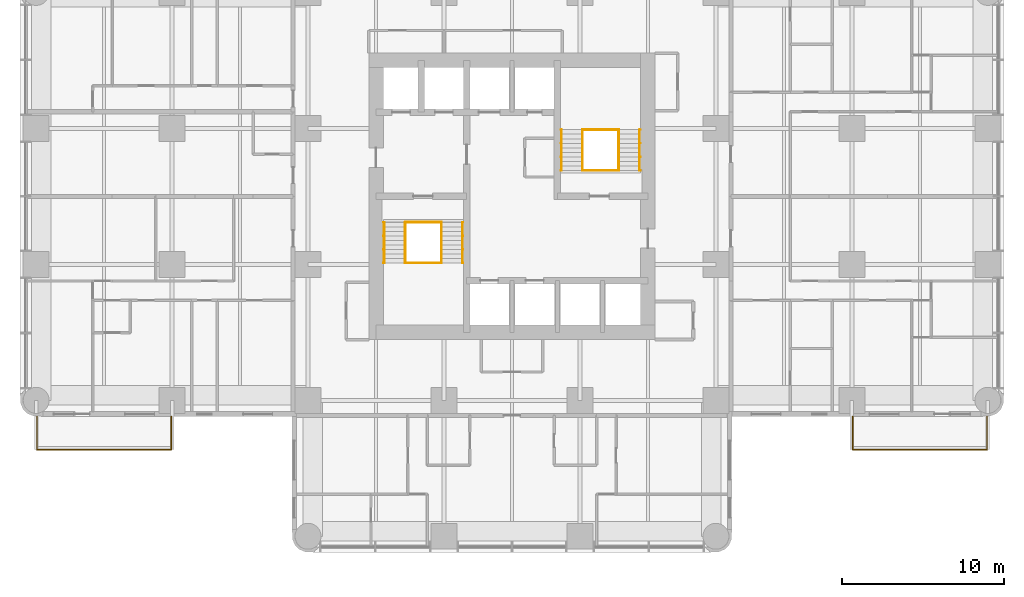
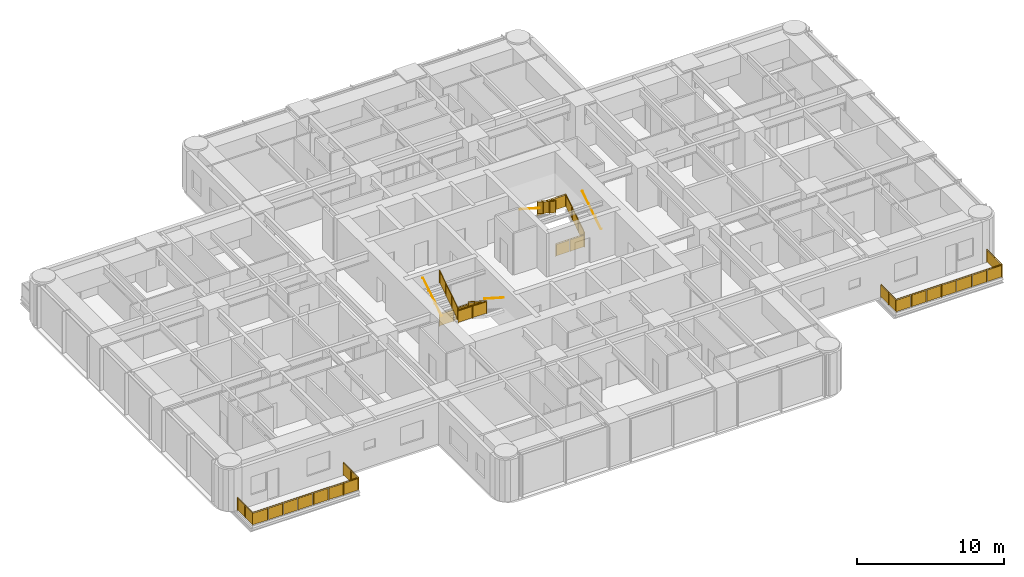
# One storey, part 14 of 15: 14 railings.
"""IFC4 building model written with IfcOpenShell, lengths in metres."""

from ifc_helpers import new_model, si_unit, direction, frame, origin, origin_2d, place, context, subcontext, project, spatial, polyline, circle, outline, extrude, material, constituent, constituent_set, type_object, element, save


model = new_model("IFC4")

# Units and contexts
model_context = context("Model", 3, precision=1e-05, world=origin(), true_north=direction((0.0, 1.0)))
body_context = subcontext(model_context, "Body", "Model", "MODEL_VIEW")
ifc_project = project(units=[si_unit("LENGTHUNIT", "METRE"), si_unit("AREAUNIT", "SQUARE_METRE"), si_unit("VOLUMEUNIT", "CUBIC_METRE"), si_unit("PLANEANGLEUNIT", "RADIAN"), si_unit("MASSUNIT", "GRAM", prefix="KILO")], contexts=[model_context])

# Site, building, storey
site_placement = place(None, origin())
site = spatial("IfcSite", under=ifc_project, at=site_placement, CompositionType="ELEMENT")
building_placement = place(site_placement, origin())
building = spatial("IfcBuilding", under=site, at=building_placement, Name="Torre Alcanfor", CompositionType="ELEMENT")
storey_placement = place(building_placement, frame((0.0, 0.0, 119.699951171875)))
storey = spatial("IfcBuildingStorey", under=building, at=storey_placement, Name="L30", CompositionType="ELEMENT", Elevation=119.699951171875)

# Railings
ifc_material_1 = material(Name="Laminated safety glass", Category="glass")
ifc_constituent_1 = constituent(ifc_material_1, Name="Infill")
ifc_material_2 = material(Name="Stainless steel ASTM A554 Grade MT 316L tube", Category="steel")
ifc_constituent_2 = constituent(ifc_material_2, Name="Posts and rail")
ifc_constituent_set = constituent_set(constituents=[ifc_constituent_1, ifc_constituent_2], Name="Balcony guard glass 1100")
railing_type_1 = type_object("IfcRailingType", Name="Balcony guard glass 1100", PredefinedType="BALUSTRADE", material=ifc_constituent_set)
railing_1_placement = place(storey_placement, frame((50.449951171875, 15.800048828125, 0.0)))
element("IfcRailing", 1, at=railing_1_placement, inside=storey, type_object=railing_type_1, Name="Balcony guard L30-E2", PredefinedType="BALUSTRADE", context=body_context, shape_type="SweptSolid", body=[
    extrude(circle(Radius=0.02392578125, at=origin_2d()), frame((0.0, 0.0, 1.076171875), z_axis=(0.0, -1.0, 0.0), x_axis=(1.0, 0.0, 0.0)), (0.0, 0.0, 1.0), 2.050048828125),
    extrude(circle(Radius=0.02392578125, at=origin_2d()), frame((0.0, -2.050048828125, 1.076171875), z_axis=(1.0, 0.0, 0.0), x_axis=(0.0, 1.0, 0.0)), (0.0, 0.0, 1.0), 8.300048828125),
    extrude(circle(Radius=0.02392578125, at=origin_2d()), frame((8.300048828125, -2.050048828125, 1.076171875), z_axis=(0.0, 1.0, 0.0), x_axis=(-1.0, 0.0, 0.0)), (0.0, 0.0, 1.0), 2.050048828125),
    extrude(circle(Radius=0.02099609375, at=origin_2d()), origin(), (0.0, 0.0, 1.0), 1.052001953125),
    extrude(circle(Radius=0.02099609375, at=origin_2d()), frame((0.0, -1.02490234375, 0.0)), (0.0, 0.0, 1.0), 1.052001953125),
    extrude(circle(Radius=0.02099609375, at=origin_2d()), frame((0.0, -2.050048828125, 0.0)), (0.0, 0.0, 1.0), 1.052001953125),
    extrude(circle(Radius=0.02099609375, at=origin_2d()), frame((1.185791015625, -2.050048828125, 0.0)), (0.0, 0.0, 1.0), 1.052001953125),
    extrude(circle(Radius=0.02099609375, at=origin_2d()), frame((2.371337890625, -2.050048828125, 0.0)), (0.0, 0.0, 1.0), 1.052001953125),
    extrude(circle(Radius=0.02099609375, at=origin_2d()), frame((3.55712890625, -2.050048828125, 0.0)), (0.0, 0.0, 1.0), 1.052001953125),
    extrude(circle(Radius=0.02099609375, at=origin_2d()), frame((4.742919921875, -2.050048828125, 0.0)), (0.0, 0.0, 1.0), 1.052001953125),
    extrude(circle(Radius=0.02099609375, at=origin_2d()), frame((5.9287109375, -2.050048828125, 0.0)), (0.0, 0.0, 1.0), 1.052001953125),
    extrude(circle(Radius=0.02099609375, at=origin_2d()), frame((7.1142578125, -2.050048828125, 0.0)), (0.0, 0.0, 1.0), 1.052001953125),
    extrude(circle(Radius=0.02099609375, at=origin_2d()), frame((8.300048828125, -2.050048828125, 0.0)), (0.0, 0.0, 1.0), 1.052001953125),
    extrude(circle(Radius=0.02099609375, at=origin_2d()), frame((8.300048828125, -1.02490234375, 0.0)), (0.0, 0.0, 1.0), 1.052001953125),
    extrude(circle(Radius=0.02099609375, at=origin_2d()), frame((8.300048828125, 0.0, 0.0)), (0.0, 0.0, 1.0), 1.052001953125),
    extrude(outline(polyline([(0.041015625, 0.050048828125), (0.984130859375, 0.050048828125), (0.984130859375, 1.001953125), (0.041015625, 1.001953125), (0.041015625, 0.050048828125)])), frame((0.005859375, 0.0, 0.0), z_axis=(-1.0, 0.0, 0.0), x_axis=(0.0, -1.0, 0.0)), (0.0, 0.0, 1.0), 0.011962890625),
    extrude(outline(polyline([(1.06591796875, 0.050048828125), (2.009033203125, 0.050048828125), (2.009033203125, 1.001953125), (1.06591796875, 1.001953125), (1.06591796875, 0.050048828125)])), frame((0.005859375, 0.0, 0.0), z_axis=(-1.0, 0.0, 0.0), x_axis=(0.0, -1.0, 0.0)), (0.0, 0.0, 1.0), 0.011962890625),
    extrude(outline(polyline([(0.041015625, 0.050048828125), (1.144775390625, 0.050048828125), (1.144775390625, 1.001953125), (0.041015625, 1.001953125), (0.041015625, 0.050048828125)])), frame((0.0, -2.0439453125, 0.0), z_axis=(0.0, -1.0, 0.0), x_axis=(1.0, 0.0, 0.0)), (0.0, 0.0, 1.0), 0.011962890625),
    extrude(outline(polyline([(1.226806640625, 0.050048828125), (2.330322265625, 0.050048828125), (2.330322265625, 1.001953125), (1.226806640625, 1.001953125), (1.226806640625, 0.050048828125)])), frame((0.0, -2.0439453125, 0.0), z_axis=(0.0, -1.0, 0.0), x_axis=(1.0, 0.0, 0.0)), (0.0, 0.0, 1.0), 0.011962890625),
    extrude(outline(polyline([(2.412353515625, 0.050048828125), (3.51611328125, 0.050048828125), (3.51611328125, 1.001953125), (2.412353515625, 1.001953125), (2.412353515625, 0.050048828125)])), frame((0.0, -2.0439453125, 0.0), z_axis=(0.0, -1.0, 0.0), x_axis=(1.0, 0.0, 0.0)), (0.0, 0.0, 1.0), 0.011962890625),
    extrude(outline(polyline([(3.59814453125, 0.050048828125), (4.701904296875, 0.050048828125), (4.701904296875, 1.001953125), (3.59814453125, 1.001953125), (3.59814453125, 0.050048828125)])), frame((0.0, -2.0439453125, 0.0), z_axis=(0.0, -1.0, 0.0), x_axis=(1.0, 0.0, 0.0)), (0.0, 0.0, 1.0), 0.011962890625),
    extrude(outline(polyline([(4.783935546875, 0.050048828125), (5.8876953125, 0.050048828125), (5.8876953125, 1.001953125), (4.783935546875, 1.001953125), (4.783935546875, 0.050048828125)])), frame((0.0, -2.0439453125, 0.0), z_axis=(0.0, -1.0, 0.0), x_axis=(1.0, 0.0, 0.0)), (0.0, 0.0, 1.0), 0.011962890625),
    extrude(outline(polyline([(5.9697265625, 0.050048828125), (7.0732421875, 0.050048828125), (7.0732421875, 1.001953125), (5.9697265625, 1.001953125), (5.9697265625, 0.050048828125)])), frame((0.0, -2.0439453125, 0.0), z_axis=(0.0, -1.0, 0.0), x_axis=(1.0, 0.0, 0.0)), (0.0, 0.0, 1.0), 0.011962890625),
    extrude(outline(polyline([(7.1552734375, 0.050048828125), (8.259033203125, 0.050048828125), (8.259033203125, 1.001953125), (7.1552734375, 1.001953125), (7.1552734375, 0.050048828125)])), frame((0.0, -2.0439453125, 0.0), z_axis=(0.0, -1.0, 0.0), x_axis=(1.0, 0.0, 0.0)), (0.0, 0.0, 1.0), 0.011962890625),
    extrude(outline(polyline([(0.041015625, 0.050048828125), (0.984130859375, 0.050048828125), (0.984130859375, 1.001953125), (0.041015625, 1.001953125), (0.041015625, 0.050048828125)])), frame((8.2939453125, -2.050048828125, 0.0), z_axis=(1.0, 0.0, 0.0), x_axis=(0.0, 1.0, 0.0)), (0.0, 0.0, 1.0), 0.011962890625),
    extrude(outline(polyline([(1.06591796875, 0.050048828125), (2.009033203125, 0.050048828125), (2.009033203125, 1.001953125), (1.06591796875, 1.001953125), (1.06591796875, 0.050048828125)])), frame((8.2939453125, -2.050048828125, 0.0), z_axis=(1.0, 0.0, 0.0), x_axis=(0.0, 1.0, 0.0)), (0.0, 0.0, 1.0), 0.011962890625),
])
railing_2_placement = place(storey_placement, frame((8.35009765625, 15.800048828125, 0.0)))
element("IfcRailing", 2, at=railing_2_placement, inside=storey, type_object=railing_type_1, Name="Balcony guard L30-W1", PredefinedType="BALUSTRADE", context=body_context, shape_type="SweptSolid", body=[
    extrude(circle(Radius=0.02392578125, at=origin_2d()), frame((0.0, 0.0, 1.076171875), z_axis=(0.0, -1.0, 0.0), x_axis=(1.0, 0.0, 0.0)), (0.0, 0.0, 1.0), 2.050048828125),
    extrude(circle(Radius=0.02392578125, at=origin_2d()), frame((0.0, -2.050048828125, 1.076171875), z_axis=(-1.0, 0.0, 0.0), x_axis=(0.0, -1.0, 0.0)), (0.0, 0.0, 1.0), 8.300048828125),
    extrude(circle(Radius=0.02392578125, at=origin_2d()), frame((-8.300048828125, -2.050048828125, 1.076171875), z_axis=(0.0, 1.0, 0.0), x_axis=(-1.0, 0.0, 0.0)), (0.0, 0.0, 1.0), 2.050048828125),
    extrude(circle(Radius=0.02099609375, at=origin_2d()), origin(), (0.0, 0.0, 1.0), 1.052001953125),
    extrude(circle(Radius=0.02099609375, at=origin_2d()), frame((0.0, -1.02490234375, 0.0)), (0.0, 0.0, 1.0), 1.052001953125),
    extrude(circle(Radius=0.02099609375, at=origin_2d()), frame((0.0, -2.050048828125, 0.0)), (0.0, 0.0, 1.0), 1.052001953125),
    extrude(circle(Radius=0.02099609375, at=origin_2d()), frame((-1.185791015625, -2.050048828125, 0.0)), (0.0, 0.0, 1.0), 1.052001953125),
    extrude(circle(Radius=0.02099609375, at=origin_2d()), frame((-2.371337890625, -2.050048828125, 0.0)), (0.0, 0.0, 1.0), 1.052001953125),
    extrude(circle(Radius=0.02099609375, at=origin_2d()), frame((-3.55712890625, -2.050048828125, 0.0)), (0.0, 0.0, 1.0), 1.052001953125),
    extrude(circle(Radius=0.02099609375, at=origin_2d()), frame((-4.742919921875, -2.050048828125, 0.0)), (0.0, 0.0, 1.0), 1.052001953125),
    extrude(circle(Radius=0.02099609375, at=origin_2d()), frame((-5.9287109375, -2.050048828125, 0.0)), (0.0, 0.0, 1.0), 1.052001953125),
    extrude(circle(Radius=0.02099609375, at=origin_2d()), frame((-7.1142578125, -2.050048828125, 0.0)), (0.0, 0.0, 1.0), 1.052001953125),
    extrude(circle(Radius=0.02099609375, at=origin_2d()), frame((-8.300048828125, -2.050048828125, 0.0)), (0.0, 0.0, 1.0), 1.052001953125),
    extrude(circle(Radius=0.02099609375, at=origin_2d()), frame((-8.300048828125, -1.02490234375, 0.0)), (0.0, 0.0, 1.0), 1.052001953125),
    extrude(circle(Radius=0.02099609375, at=origin_2d()), frame((-8.300048828125, 0.0, 0.0)), (0.0, 0.0, 1.0), 1.052001953125),
    extrude(outline(polyline([(0.041015625, 0.050048828125), (0.984130859375, 0.050048828125), (0.984130859375, 1.001953125), (0.041015625, 1.001953125), (0.041015625, 0.050048828125)])), frame((0.005859375, 0.0, 0.0), z_axis=(-1.0, 0.0, 0.0), x_axis=(0.0, -1.0, 0.0)), (0.0, 0.0, 1.0), 0.011962890625),
    extrude(outline(polyline([(1.06591796875, 0.050048828125), (2.009033203125, 0.050048828125), (2.009033203125, 1.001953125), (1.06591796875, 1.001953125), (1.06591796875, 0.050048828125)])), frame((0.005859375, 0.0, 0.0), z_axis=(-1.0, 0.0, 0.0), x_axis=(0.0, -1.0, 0.0)), (0.0, 0.0, 1.0), 0.011962890625),
    extrude(outline(polyline([(0.041015625, 0.050048828125), (1.144775390625, 0.050048828125), (1.144775390625, 1.001953125), (0.041015625, 1.001953125), (0.041015625, 0.050048828125)])), frame((0.0, -2.05615234375, 0.0), z_axis=(0.0, 1.0, 0.0), x_axis=(-1.0, 0.0, 0.0)), (0.0, 0.0, 1.0), 0.011962890625),
    extrude(outline(polyline([(1.226806640625, 0.050048828125), (2.330322265625, 0.050048828125), (2.330322265625, 1.001953125), (1.226806640625, 1.001953125), (1.226806640625, 0.050048828125)])), frame((0.0, -2.05615234375, 0.0), z_axis=(0.0, 1.0, 0.0), x_axis=(-1.0, 0.0, 0.0)), (0.0, 0.0, 1.0), 0.011962890625),
    extrude(outline(polyline([(2.412353515625, 0.050048828125), (3.51611328125, 0.050048828125), (3.51611328125, 1.001953125), (2.412353515625, 1.001953125), (2.412353515625, 0.050048828125)])), frame((0.0, -2.05615234375, 0.0), z_axis=(0.0, 1.0, 0.0), x_axis=(-1.0, 0.0, 0.0)), (0.0, 0.0, 1.0), 0.011962890625),
    extrude(outline(polyline([(3.59814453125, 0.050048828125), (4.701904296875, 0.050048828125), (4.701904296875, 1.001953125), (3.59814453125, 1.001953125), (3.59814453125, 0.050048828125)])), frame((0.0, -2.05615234375, 0.0), z_axis=(0.0, 1.0, 0.0), x_axis=(-1.0, 0.0, 0.0)), (0.0, 0.0, 1.0), 0.011962890625),
    extrude(outline(polyline([(4.783935546875, 0.050048828125), (5.8876953125, 0.050048828125), (5.8876953125, 1.001953125), (4.783935546875, 1.001953125), (4.783935546875, 0.050048828125)])), frame((0.0, -2.05615234375, 0.0), z_axis=(0.0, 1.0, 0.0), x_axis=(-1.0, 0.0, 0.0)), (0.0, 0.0, 1.0), 0.011962890625),
    extrude(outline(polyline([(5.9697265625, 0.050048828125), (7.0732421875, 0.050048828125), (7.0732421875, 1.001953125), (5.9697265625, 1.001953125), (5.9697265625, 0.050048828125)])), frame((0.0, -2.05615234375, 0.0), z_axis=(0.0, 1.0, 0.0), x_axis=(-1.0, 0.0, 0.0)), (0.0, 0.0, 1.0), 0.011962890625),
    extrude(outline(polyline([(7.1552734375, 0.050048828125), (8.259033203125, 0.050048828125), (8.259033203125, 1.001953125), (7.1552734375, 1.001953125), (7.1552734375, 0.050048828125)])), frame((0.0, -2.05615234375, 0.0), z_axis=(0.0, 1.0, 0.0), x_axis=(-1.0, 0.0, 0.0)), (0.0, 0.0, 1.0), 0.011962890625),
    extrude(outline(polyline([(0.041015625, 0.050048828125), (0.984130859375, 0.050048828125), (0.984130859375, 1.001953125), (0.041015625, 1.001953125), (0.041015625, 0.050048828125)])), frame((-8.30615234375, -2.050048828125, 0.0), z_axis=(1.0, 0.0, 0.0), x_axis=(0.0, 1.0, 0.0)), (0.0, 0.0, 1.0), 0.011962890625),
    extrude(outline(polyline([(1.06591796875, 0.050048828125), (2.009033203125, 0.050048828125), (2.009033203125, 1.001953125), (1.06591796875, 1.001953125), (1.06591796875, 0.050048828125)])), frame((-8.30615234375, -2.050048828125, 0.0), z_axis=(1.0, 0.0, 0.0), x_axis=(0.0, 1.0, 0.0)), (0.0, 0.0, 1.0), 0.011962890625),
])
ifc_material_3 = material(Name="Steel ASTM A500 Grade C hollow sections", Category="steel")
railing_type_2 = type_object("IfcRailingType", Name="Stair guard and handrail 1100", PredefinedType="GUARDRAIL", material=ifc_material_3)
railing_3_placement = place(storey_placement, frame((25.050048828125, 27.800048828125, 0.179931640625)))
element("IfcRailing", 3, at=railing_3_placement, inside=storey, type_object=railing_type_2, Name="Stair guard S1 L30 flight 1", PredefinedType="GUARDRAIL", context=body_context, shape_type="SweptSolid", body=[
    extrude(circle(Radius=0.02392578125, at=origin_2d()), frame((0.0, 0.0, 1.076171875), z_axis=(0.0, -0.841162588446, 0.540782303519), x_axis=(1.0, 0.0, 0.0)), (0.0, 0.0, 1.0), 2.995849609375),
    extrude(circle(Radius=0.02099609375, at=origin_2d()), origin(), (0.0, 0.0, 1.0), 1.052001953125),
    extrude(circle(Radius=0.02099609375, at=origin_2d()), frame((0.0, -0.840087890625, 0.5400390625)), (0.0, 0.0, 1.0), 1.052001953125),
    extrude(circle(Radius=0.02099609375, at=origin_2d()), frame((0.0, -1.679931640625, 1.080078125)), (0.0, 0.0, 1.0), 1.052001953125),
    extrude(circle(Radius=0.02099609375, at=origin_2d()), frame((0.0, -2.52001953125, 1.6201171875)), (0.0, 0.0, 1.0), 1.052001953125),
    extrude(outline(polyline([(0.041015625, 0.076416015625), (0.799072265625, 0.563720703125), (0.799072265625, 1.515625), (0.041015625, 1.0283203125), (0.041015625, 0.076416015625)])), frame((0.005859375, 0.0, 0.0), z_axis=(-1.0, 0.0, 0.0), x_axis=(0.0, -1.0, 0.0)), (0.0, 0.0, 1.0), 0.011962890625),
    extrude(outline(polyline([(0.881103515625, 0.616455078125), (1.638916015625, 1.103759765625), (1.638916015625, 2.0556640625), (0.881103515625, 1.568359375), (0.881103515625, 0.616455078125)])), frame((0.005859375, 0.0, 0.0), z_axis=(-1.0, 0.0, 0.0), x_axis=(0.0, -1.0, 0.0)), (0.0, 0.0, 1.0), 0.011962890625),
    extrude(outline(polyline([(1.720947265625, 1.156494140625), (2.47900390625, 1.643798828125), (2.47900390625, 2.595703125), (1.720947265625, 2.1083984375), (1.720947265625, 1.156494140625)])), frame((0.005859375, 0.0, 0.0), z_axis=(-1.0, 0.0, 0.0), x_axis=(0.0, -1.0, 0.0)), (0.0, 0.0, 1.0), 0.011962890625),
])
railing_4_placement = place(storey_placement, frame((22.800048828125, 25.280029296875, 1.97998046875)))
element("IfcRailing", 4, at=railing_4_placement, inside=storey, type_object=railing_type_2, Name="Stair guard S1 L30 flight 2", PredefinedType="GUARDRAIL", context=body_context, shape_type="SweptSolid", body=[
    extrude(circle(Radius=0.02392578125, at=origin_2d()), frame((0.0, 0.0, 1.076171875), z_axis=(0.0, 0.841162588446, 0.540782303519), x_axis=(-1.0, 0.0, 0.0)), (0.0, 0.0, 1.0), 2.995849609375),
    extrude(circle(Radius=0.02099609375, at=origin_2d()), origin(), (0.0, 0.0, 1.0), 1.052001953125),
    extrude(circle(Radius=0.02099609375, at=origin_2d()), frame((0.0, 0.840087890625, 0.5400390625)), (0.0, 0.0, 1.0), 1.052001953125),
    extrude(circle(Radius=0.02099609375, at=origin_2d()), frame((0.0, 1.679931640625, 1.080078125)), (0.0, 0.0, 1.0), 1.052001953125),
    extrude(circle(Radius=0.02099609375, at=origin_2d()), frame((0.0, 2.52001953125, 1.6201171875)), (0.0, 0.0, 1.0), 1.052001953125),
    extrude(outline(polyline([(0.041015625, 0.076416015625), (0.799072265625, 0.563720703125), (0.799072265625, 1.515625), (0.041015625, 1.0283203125), (0.041015625, 0.076416015625)])), frame((-0.005859375, 0.0, 0.0), z_axis=(1.0, 0.0, 0.0), x_axis=(0.0, 1.0, 0.0)), (0.0, 0.0, 1.0), 0.011962890625),
    extrude(outline(polyline([(0.881103515625, 0.616455078125), (1.638916015625, 1.103759765625), (1.638916015625, 2.0556640625), (0.881103515625, 1.568359375), (0.881103515625, 0.616455078125)])), frame((-0.005859375, 0.0, 0.0), z_axis=(1.0, 0.0, 0.0), x_axis=(0.0, 1.0, 0.0)), (0.0, 0.0, 1.0), 0.011962890625),
    extrude(outline(polyline([(1.720947265625, 1.156494140625), (2.47900390625, 1.643798828125), (2.47900390625, 2.595703125), (1.720947265625, 2.1083984375), (1.720947265625, 1.156494140625)])), frame((-0.005859375, 0.0, 0.0), z_axis=(1.0, 0.0, 0.0), x_axis=(0.0, 1.0, 0.0)), (0.0, 0.0, 1.0), 0.011962890625),
])
for number, where, name in (
    (5, (22.800048828125, 27.800048828125, 0.0), "Stair well guard S1 L30 floor landing"),
    (6, (22.800048828125, 25.280029296875, 1.800048828125), "Stair well guard S1 L30 half landing"),
):
    element("IfcRailing", number, at=place(storey_placement, frame(where)), inside=storey, type_object=railing_type_2, Name=name, PredefinedType="GUARDRAIL", context=body_context, shape_type="SweptSolid", body=[
        extrude(circle(Radius=0.02392578125, at=origin_2d()), frame((0.0, 0.0, 1.076171875), z_axis=(1.0, 0.0, 0.0), x_axis=(0.0, 1.0, 0.0)), (0.0, 0.0, 1.0), 2.25),
        extrude(circle(Radius=0.02099609375, at=origin_2d()), origin(), (0.0, 0.0, 1.0), 1.052001953125),
        extrude(circle(Radius=0.02099609375, at=origin_2d()), frame((1.125, 0.0, 0.0)), (0.0, 0.0, 1.0), 1.052001953125),
        extrude(circle(Radius=0.02099609375, at=origin_2d()), frame((2.25, 0.0, 0.0)), (0.0, 0.0, 1.0), 1.052001953125),
        extrude(outline(polyline([(0.041015625, 0.050048828125), (1.083984375, 0.050048828125), (1.083984375, 1.001953125), (0.041015625, 1.001953125), (0.041015625, 0.050048828125)])), frame((0.0, 0.005859375, 0.0), z_axis=(0.0, -1.0, 0.0), x_axis=(1.0, 0.0, 0.0)), (0.0, 0.0, 1.0), 0.011962890625),
        extrude(outline(polyline([(1.166015625, 0.050048828125), (2.208984375, 0.050048828125), (2.208984375, 1.001953125), (1.166015625, 1.001953125), (1.166015625, 0.050048828125)])), frame((0.0, 0.005859375, 0.0), z_axis=(0.0, -1.0, 0.0), x_axis=(1.0, 0.0, 0.0)), (0.0, 0.0, 1.0), 0.011962890625),
    ])
railing_5_placement = place(storey_placement, frame((36.0, 31.0, 0.179931640625)))
element("IfcRailing", 7, at=railing_5_placement, inside=storey, type_object=railing_type_2, Name="Stair guard S2 L30 flight 1", PredefinedType="GUARDRAIL", context=body_context, shape_type="SweptSolid", body=[
    extrude(circle(Radius=0.02392578125, at=origin_2d()), frame((0.0, 0.0, 1.076171875), z_axis=(0.0, 0.841162588446, 0.540782303519), x_axis=(-1.0, 0.0, 0.0)), (0.0, 0.0, 1.0), 2.995849609375),
    extrude(circle(Radius=0.02099609375, at=origin_2d()), origin(), (0.0, 0.0, 1.0), 1.052001953125),
    extrude(circle(Radius=0.02099609375, at=origin_2d()), frame((0.0, 0.840087890625, 0.5400390625)), (0.0, 0.0, 1.0), 1.052001953125),
    extrude(circle(Radius=0.02099609375, at=origin_2d()), frame((0.0, 1.679931640625, 1.080078125)), (0.0, 0.0, 1.0), 1.052001953125),
    extrude(circle(Radius=0.02099609375, at=origin_2d()), frame((0.0, 2.52001953125, 1.6201171875)), (0.0, 0.0, 1.0), 1.052001953125),
    extrude(outline(polyline([(0.041015625, 0.076416015625), (0.799072265625, 0.563720703125), (0.799072265625, 1.515625), (0.041015625, 1.0283203125), (0.041015625, 0.076416015625)])), frame((-0.005859375, 0.0, 0.0), z_axis=(1.0, 0.0, 0.0), x_axis=(0.0, 1.0, 0.0)), (0.0, 0.0, 1.0), 0.011962890625),
    extrude(outline(polyline([(0.881103515625, 0.616455078125), (1.638916015625, 1.103759765625), (1.638916015625, 2.0556640625), (0.881103515625, 1.568359375), (0.881103515625, 0.616455078125)])), frame((-0.005859375, 0.0, 0.0), z_axis=(1.0, 0.0, 0.0), x_axis=(0.0, 1.0, 0.0)), (0.0, 0.0, 1.0), 0.011962890625),
    extrude(outline(polyline([(1.720947265625, 1.156494140625), (2.47900390625, 1.643798828125), (2.47900390625, 2.595703125), (1.720947265625, 2.1083984375), (1.720947265625, 1.156494140625)])), frame((-0.005859375, 0.0, 0.0), z_axis=(1.0, 0.0, 0.0), x_axis=(0.0, 1.0, 0.0)), (0.0, 0.0, 1.0), 0.011962890625),
])
railing_6_placement = place(storey_placement, frame((33.75, 33.52001953125, 1.97998046875)))
element("IfcRailing", 8, at=railing_6_placement, inside=storey, type_object=railing_type_2, Name="Stair guard S2 L30 flight 2", PredefinedType="GUARDRAIL", context=body_context, shape_type="SweptSolid", body=[
    extrude(circle(Radius=0.02392578125, at=origin_2d()), frame((0.0, 0.0, 1.076171875), z_axis=(0.0, -0.841162588446, 0.540782303519), x_axis=(1.0, 0.0, 0.0)), (0.0, 0.0, 1.0), 2.995849609375),
    extrude(circle(Radius=0.02099609375, at=origin_2d()), origin(), (0.0, 0.0, 1.0), 1.052001953125),
    extrude(circle(Radius=0.02099609375, at=origin_2d()), frame((0.0, -0.840087890625, 0.5400390625)), (0.0, 0.0, 1.0), 1.052001953125),
    extrude(circle(Radius=0.02099609375, at=origin_2d()), frame((0.0, -1.679931640625, 1.080078125)), (0.0, 0.0, 1.0), 1.052001953125),
    extrude(circle(Radius=0.02099609375, at=origin_2d()), frame((0.0, -2.52001953125, 1.6201171875)), (0.0, 0.0, 1.0), 1.052001953125),
    extrude(outline(polyline([(0.041015625, 0.076416015625), (0.799072265625, 0.563720703125), (0.799072265625, 1.515625), (0.041015625, 1.0283203125), (0.041015625, 0.076416015625)])), frame((0.005859375, 0.0, 0.0), z_axis=(-1.0, 0.0, 0.0), x_axis=(0.0, -1.0, 0.0)), (0.0, 0.0, 1.0), 0.011962890625),
    extrude(outline(polyline([(0.881103515625, 0.616455078125), (1.638916015625, 1.103759765625), (1.638916015625, 2.0556640625), (0.881103515625, 1.568359375), (0.881103515625, 0.616455078125)])), frame((0.005859375, 0.0, 0.0), z_axis=(-1.0, 0.0, 0.0), x_axis=(0.0, -1.0, 0.0)), (0.0, 0.0, 1.0), 0.011962890625),
    extrude(outline(polyline([(1.720947265625, 1.156494140625), (2.47900390625, 1.643798828125), (2.47900390625, 2.595703125), (1.720947265625, 2.1083984375), (1.720947265625, 1.156494140625)])), frame((0.005859375, 0.0, 0.0), z_axis=(-1.0, 0.0, 0.0), x_axis=(0.0, -1.0, 0.0)), (0.0, 0.0, 1.0), 0.011962890625),
])
for number, where, name in (
    (9, (33.75, 31.0, 0.0), "Stair well guard S2 L30 floor landing"),
    (10, (33.75, 33.52001953125, 1.800048828125), "Stair well guard S2 L30 half landing"),
):
    element("IfcRailing", number, at=place(storey_placement, frame(where)), inside=storey, type_object=railing_type_2, Name=name, PredefinedType="GUARDRAIL", context=body_context, shape_type="SweptSolid", body=[
        extrude(circle(Radius=0.02392578125, at=origin_2d()), frame((0.0, 0.0, 1.076171875), z_axis=(1.0, 0.0, 0.0), x_axis=(0.0, 1.0, 0.0)), (0.0, 0.0, 1.0), 2.25),
        extrude(circle(Radius=0.02099609375, at=origin_2d()), origin(), (0.0, 0.0, 1.0), 1.052001953125),
        extrude(circle(Radius=0.02099609375, at=origin_2d()), frame((1.125, 0.0, 0.0)), (0.0, 0.0, 1.0), 1.052001953125),
        extrude(circle(Radius=0.02099609375, at=origin_2d()), frame((2.25, 0.0, 0.0)), (0.0, 0.0, 1.0), 1.052001953125),
        extrude(outline(polyline([(0.041015625, 0.050048828125), (1.083984375, 0.050048828125), (1.083984375, 1.001953125), (0.041015625, 1.001953125), (0.041015625, 0.050048828125)])), frame((0.0, 0.005859375, 0.0), z_axis=(0.0, -1.0, 0.0), x_axis=(1.0, 0.0, 0.0)), (0.0, 0.0, 1.0), 0.011962890625),
        extrude(outline(polyline([(1.166015625, 0.050048828125), (2.208984375, 0.050048828125), (2.208984375, 1.001953125), (1.166015625, 1.001953125), (1.166015625, 0.050048828125)])), frame((0.0, 0.005859375, 0.0), z_axis=(0.0, -1.0, 0.0), x_axis=(1.0, 0.0, 0.0)), (0.0, 0.0, 1.0), 0.011962890625),
    ])
ifc_material_4 = material(Name="Steel ASTM A500 Grade C hollow sections", Category="steel")
railing_type_3 = type_object("IfcRailingType", Name="Stair wall handrail 900", PredefinedType="HANDRAIL", material=ifc_material_4)
railing_7_placement = place(storey_placement, frame((26.3349609375, 27.800048828125, 0.179931640625)))
element("IfcRailing", 11, at=railing_7_placement, inside=storey, type_object=railing_type_3, Name="Stair handrail S1 L30 flight 1", PredefinedType="HANDRAIL", context=body_context, shape_type="SweptSolid", body=[
    extrude(circle(Radius=0.02392578125, at=origin_2d()), frame((0.0, 0.0, 0.8759765625), z_axis=(0.0, -0.841162588446, 0.540782303519), x_axis=(1.0, 0.0, 0.0)), (0.0, 0.0, 1.0), 2.995849609375),
    extrude(circle(Radius=0.008056640625, at=origin_2d()), frame((0.0, 0.0, 0.8759765625), z_axis=(1.0, 0.0, 0.0), x_axis=(0.0, 0.0, 1.0)), (0.0, 0.0, 1.0), 0.06494140625),
    extrude(circle(Radius=0.008056640625, at=origin_2d()), frame((0.0, -0.840087890625, 1.416015625), z_axis=(1.0, 0.0, 0.0), x_axis=(0.0, 0.0, 1.0)), (0.0, 0.0, 1.0), 0.06494140625),
    extrude(circle(Radius=0.008056640625, at=origin_2d()), frame((0.0, -1.679931640625, 1.9560546875), z_axis=(1.0, 0.0, 0.0), x_axis=(0.0, 0.0, 1.0)), (0.0, 0.0, 1.0), 0.06494140625),
    extrude(circle(Radius=0.008056640625, at=origin_2d()), frame((0.0, -2.52001953125, 2.49609375), z_axis=(1.0, 0.0, 0.0), x_axis=(0.0, 0.0, 1.0)), (0.0, 0.0, 1.0), 0.06494140625),
])
railing_8_placement = place(storey_placement, frame((21.514892578125, 25.280029296875, 1.97998046875)))
element("IfcRailing", 12, at=railing_8_placement, inside=storey, type_object=railing_type_3, Name="Stair handrail S1 L30 flight 2", PredefinedType="HANDRAIL", context=body_context, shape_type="SweptSolid", body=[
    extrude(circle(Radius=0.02392578125, at=origin_2d()), frame((0.0, 0.0, 0.8759765625), z_axis=(0.0, 0.841162588446, 0.540782303519), x_axis=(-1.0, 0.0, 0.0)), (0.0, 0.0, 1.0), 2.995849609375),
    extrude(circle(Radius=0.008056640625, at=origin_2d()), frame((0.0, 0.0, 0.8759765625), z_axis=(-1.0, 0.0, 0.0), x_axis=(0.0, 0.0, 1.0)), (0.0, 0.0, 1.0), 0.06494140625),
    extrude(circle(Radius=0.008056640625, at=origin_2d()), frame((0.0, 0.840087890625, 1.416015625), z_axis=(-1.0, 0.0, 0.0), x_axis=(0.0, 0.0, 1.0)), (0.0, 0.0, 1.0), 0.06494140625),
    extrude(circle(Radius=0.008056640625, at=origin_2d()), frame((0.0, 1.679931640625, 1.9560546875), z_axis=(-1.0, 0.0, 0.0), x_axis=(0.0, 0.0, 1.0)), (0.0, 0.0, 1.0), 0.06494140625),
    extrude(circle(Radius=0.008056640625, at=origin_2d()), frame((0.0, 2.52001953125, 2.49609375), z_axis=(-1.0, 0.0, 0.0), x_axis=(0.0, 0.0, 1.0)), (0.0, 0.0, 1.0), 0.06494140625),
])
railing_9_placement = place(storey_placement, frame((37.284912109375, 31.0, 0.179931640625)))
element("IfcRailing", 13, at=railing_9_placement, inside=storey, type_object=railing_type_3, Name="Stair handrail S2 L30 flight 1", PredefinedType="HANDRAIL", context=body_context, shape_type="SweptSolid", body=[
    extrude(circle(Radius=0.02392578125, at=origin_2d()), frame((0.0, 0.0, 0.8759765625), z_axis=(0.0, 0.841162588446, 0.540782303519), x_axis=(-1.0, 0.0, 0.0)), (0.0, 0.0, 1.0), 2.995849609375),
    extrude(circle(Radius=0.008056640625, at=origin_2d()), frame((0.0, 0.0, 0.8759765625), z_axis=(1.0, 0.0, 0.0), x_axis=(0.0, 0.0, 1.0)), (0.0, 0.0, 1.0), 0.06494140625),
    extrude(circle(Radius=0.008056640625, at=origin_2d()), frame((0.0, 0.840087890625, 1.416015625), z_axis=(1.0, 0.0, 0.0), x_axis=(0.0, 0.0, 1.0)), (0.0, 0.0, 1.0), 0.06494140625),
    extrude(circle(Radius=0.008056640625, at=origin_2d()), frame((0.0, 1.679931640625, 1.9560546875), z_axis=(1.0, 0.0, 0.0), x_axis=(0.0, 0.0, 1.0)), (0.0, 0.0, 1.0), 0.06494140625),
    extrude(circle(Radius=0.008056640625, at=origin_2d()), frame((0.0, 2.52001953125, 2.49609375), z_axis=(1.0, 0.0, 0.0), x_axis=(0.0, 0.0, 1.0)), (0.0, 0.0, 1.0), 0.06494140625),
])
railing_10_placement = place(storey_placement, frame((32.465087890625, 33.52001953125, 1.97998046875)))
element("IfcRailing", 14, at=railing_10_placement, inside=storey, type_object=railing_type_3, Name="Stair handrail S2 L30 flight 2", PredefinedType="HANDRAIL", context=body_context, shape_type="SweptSolid", body=[
    extrude(circle(Radius=0.02392578125, at=origin_2d()), frame((0.0, 0.0, 0.8759765625), z_axis=(0.0, -0.841162588446, 0.540782303519), x_axis=(1.0, 0.0, 0.0)), (0.0, 0.0, 1.0), 2.995849609375),
    extrude(circle(Radius=0.008056640625, at=origin_2d()), frame((0.0, 0.0, 0.8759765625), z_axis=(-1.0, 0.0, 0.0), x_axis=(0.0, 0.0, 1.0)), (0.0, 0.0, 1.0), 0.06494140625),
    extrude(circle(Radius=0.008056640625, at=origin_2d()), frame((0.0, -0.840087890625, 1.416015625), z_axis=(-1.0, 0.0, 0.0), x_axis=(0.0, 0.0, 1.0)), (0.0, 0.0, 1.0), 0.06494140625),
    extrude(circle(Radius=0.008056640625, at=origin_2d()), frame((0.0, -1.679931640625, 1.9560546875), z_axis=(-1.0, 0.0, 0.0), x_axis=(0.0, 0.0, 1.0)), (0.0, 0.0, 1.0), 0.06494140625),
    extrude(circle(Radius=0.008056640625, at=origin_2d()), frame((0.0, -2.52001953125, 2.49609375), z_axis=(-1.0, 0.0, 0.0), x_axis=(0.0, 0.0, 1.0)), (0.0, 0.0, 1.0), 0.06494140625),
])

save(model, "model.ifc")
